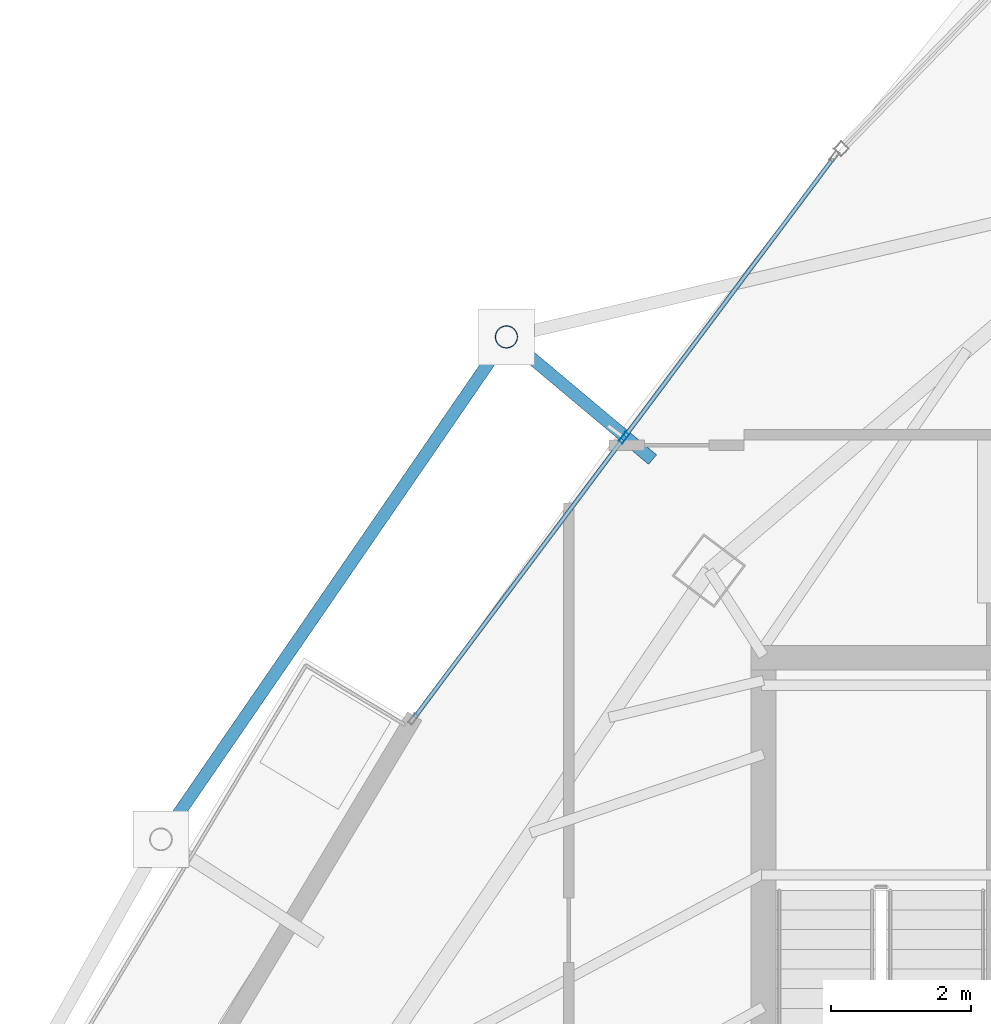
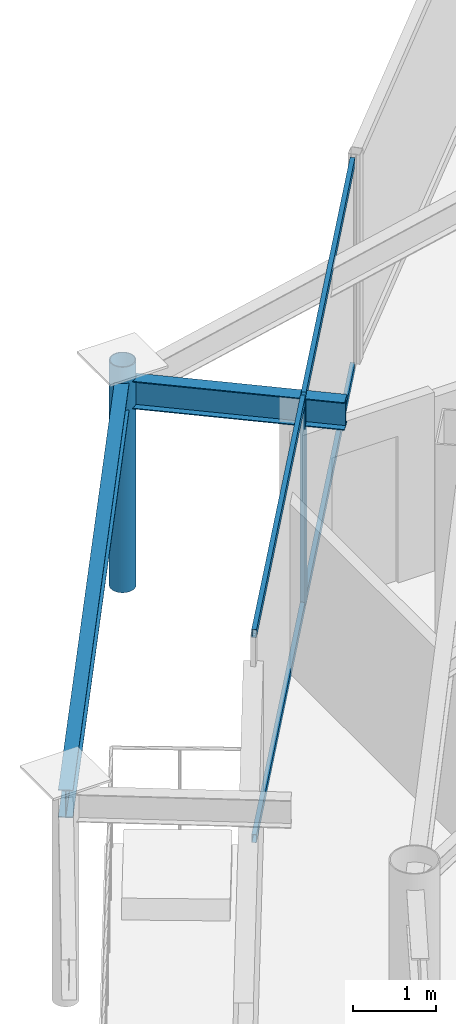
# One storey, part 21 of 32: 6 members, 2 beams, 1 element without a shape of its own.
"""IFC4 building model written with IfcOpenShell, lengths in metres."""

from ifc_helpers import new_model, si_unit, direction, frame, origin, origin_2d, place, context, subcontext, project, spatial, hollow_rectangle, hollow_circle, i_section, extrude, material, layer, layer_set, material_profile, profile_set, type_object, element, aggregate, save


model = new_model("IFC4")

# Units and contexts
model_context = context("Model", 3, precision=1e-05, world=origin(), true_north=direction((0.0, 1.0)))
body_context = subcontext(model_context, "Body", "Model", "MODEL_VIEW")
ifc_project = project(units=[si_unit("LENGTHUNIT", "METRE"), si_unit("AREAUNIT", "SQUARE_METRE"), si_unit("VOLUMEUNIT", "CUBIC_METRE"), si_unit("PLANEANGLEUNIT", "RADIAN"), si_unit("MASSUNIT", "GRAM", prefix="KILO")], contexts=[model_context])

# Site, building, storey
site_placement = place(None, origin())
site = spatial("IfcSite", under=ifc_project, at=site_placement, CompositionType="ELEMENT")
building_placement = place(site_placement, origin())
building = spatial("IfcBuilding", under=site, at=building_placement, Name="Orvanel Arch Residences", CompositionType="ELEMENT")
storey_placement = place(building_placement, frame((0.0, 0.0, 222.800048828125)))
storey = spatial("IfcBuildingStorey", under=building, at=storey_placement, Name="L63", CompositionType="ELEMENT", Elevation=222.800048828125)

# Curtain wall, member
ifc_material_1 = material(Name="Bronze-anodised aluminium AA6063-T6", Category="aluminium")
ifc_layer = layer(ifc_material_1, 0.175048828125)
ifc_layer_set = layer_set([ifc_layer], Name="Bronze-anodised aluminium AA6063-T6")
curtain_wall_type = type_object("IfcCurtainWallType", Name="CW4-HI-SYS", PredefinedType="NOTDEFINED", material=ifc_layer_set)
curtain_wall_placement = place(storey_placement, origin())
curtain_wall = element("IfcCurtainWall", 1, at=curtain_wall_placement, inside=storey, type_object=curtain_wall_type, Name="L63 CW4-HI-SYS Unitised Curtain Wall", PredefinedType="NOTDEFINED")
ifc_material_profile_1 = material_profile(ifc_material_1, hollow_rectangle(XDim=0.06494140625, YDim=0.159912109375, WallThickness=0.00390625, at=origin_2d()), Name="ALU160x65x4")
ifc_profile_set_1 = profile_set([ifc_material_profile_1], Name="Bronze-anodised aluminium AA6063-T6")
member_type_1 = type_object("IfcMemberType", Name="MUL-160x65", PredefinedType="MULLION", material=ifc_profile_set_1)
member_1_placement = place(storey_placement, frame((24.4375, 37.00390625, 0.0), z_axis=(0.0, 0.0, 1.0), x_axis=(0.800476458044, -0.599364196559, 0.0)))
member_1 = element("IfcMember", 2, at=member_1_placement, type_object=member_type_1, Name="CW-S4 mullion 2", PredefinedType="MULLION", context=body_context, shape_type="SweptSolid", body=[
    extrude(hollow_rectangle(XDim=0.06494140625, YDim=0.159912109375, WallThickness=0.00390625, at=origin_2d()), origin(), (0.0, 0.0, 1.0), 3.06005859375),
])

# Beams
ifc_material_2 = material(Name="Structural steel AS/NZS 3679.1 Grade 300 (300 MPa)", Category="steel")
ifc_material_profile_2 = material_profile(ifc_material_2, i_section(OverallWidth=0.177978515625, OverallDepth=0.406005859375, WebThickness=0.0078125, FlangeThickness=0.0126953125, at=origin_2d()), Name="410UB59.7")
ifc_profile_set_2 = profile_set([ifc_material_profile_2], Name="Structural steel AS/NZS 3679.1 Grade 300 (300 MPa)")
beam_type = type_object("IfcBeamType", Name="OB-410UB-EXT", PredefinedType="SPANDREL", material=ifc_profile_set_2)
beam_1_placement = place(storey_placement, frame((24.845947265625, 36.693115234375, 2.85693359375), z_axis=(-0.765933165597, 0.642920201765, 0.0), x_axis=(-0.642920201765, -0.765933165597, 0.0)))
element("IfcBeam", 3, at=beam_1_placement, inside=storey, type_object=beam_type, Name="L63 Outer Frame Radial Tie Beam 01", PredefinedType="SPANDREL", context=body_context, shape_type="SweptSolid", body=[
    extrude(i_section(OverallWidth=0.177978515625, OverallDepth=0.406005859375, WebThickness=0.0078125, FlangeThickness=0.0126953125, at=origin_2d()), origin(), (0.0, 0.0, 1.0), 2.717041015625),
])
beam_2_placement = place(storey_placement, frame((22.764892578125, 38.43994140625, 2.85693359375), z_axis=(-0.566636240151, -0.823968064519, 0.0), x_axis=(0.823968064519, -0.566636240151, 0.0)))
element("IfcBeam", 4, at=beam_2_placement, inside=storey, type_object=beam_type, Name="L63 Outer Perimeter Floor Ring Beam 01", PredefinedType="SPANDREL", context=body_context, shape_type="SweptSolid", body=[
    extrude(i_section(OverallWidth=0.177978515625, OverallDepth=0.406005859375, WebThickness=0.0078125, FlangeThickness=0.0126953125, at=origin_2d()), origin(), (0.0, 0.0, 1.0), 8.680908203125),
])

# Member
ifc_material_3 = material(Name="Structural steel AS/NZS 1163 C350L0 (Grade 350)", Category="steel")
ifc_material_profile_3 = material_profile(ifc_material_3, hollow_circle(Radius=0.162109375, WallThickness=0.0126953125, at=origin_2d()), Name="CHS324x12.7")
ifc_profile_set_3 = profile_set([ifc_material_profile_3], Name="Structural steel AS/NZS 1163 C350L0 (Grade 350)")
member_type_2 = type_object("IfcMemberType", Name="ST-324CHS-EXT", PredefinedType="STRUT", material=ifc_profile_set_3)
member_2_placement = place(storey_placement, frame((22.764892578125, 38.43994140625, 0.0), z_axis=(0.0, 0.0, 1.0), x_axis=(1.0, 0.0, 0.0)))
element("IfcMember", 5, at=member_2_placement, inside=storey, type_object=member_type_2, Name="L63 Outer Perimeter Frame Post 01", PredefinedType="STRUT", context=body_context, shape_type="SweptSolid", body=[
    extrude(hollow_circle(Radius=0.162109375, WallThickness=0.0126953125, at=origin_2d()), origin(), (0.0, 0.0, 1.0), 3.300048828125),
])

ifc_material_profile_4 = material_profile(ifc_material_1, hollow_rectangle(XDim=0.06005859375, YDim=0.1201171875, WallThickness=0.00341796875, at=origin_2d()), Name="ALU120x60x3.5")
ifc_profile_set_4 = profile_set([ifc_material_profile_4], Name="Bronze-anodised aluminium AA6063-T6")
member_type_3 = type_object("IfcMemberType", Name="TRN-120x60", PredefinedType="USERDEFINED", material=ifc_profile_set_4)
member_3_placement = place(storey_placement, frame((27.416015625, 40.98193359375, 0.030029296875), z_axis=(-0.599358908825, -0.800480417257, 0.0), x_axis=(0.800480417257, -0.599358908825, 0.0)))
member_3 = element("IfcMember", 6, at=member_3_placement, type_object=member_type_3, Name="CW-S4 transom 1.1", ObjectType="TRANSOM", PredefinedType="USERDEFINED", context=body_context, shape_type="SweptSolid", body=[
    extrude(hollow_rectangle(XDim=0.06005859375, YDim=0.1201171875, WallThickness=0.00341796875, at=origin_2d()), origin(), (0.0, 0.0, 1.0), 4.93701171875),
])

member_4_placement = place(storey_placement, frame((27.416015625, 40.98193359375, 3.030029296875), z_axis=(-0.599358908825, -0.800480417257, 0.0), x_axis=(0.800480417257, -0.599358908825, 0.0)))
member_4 = element("IfcMember", 7, at=member_4_placement, type_object=member_type_3, Name="CW-S4 transom 1.2", ObjectType="TRANSOM", PredefinedType="USERDEFINED", context=body_context, shape_type="SweptSolid", body=[
    extrude(hollow_rectangle(XDim=0.06005859375, YDim=0.1201171875, WallThickness=0.00341796875, at=origin_2d()), origin(), (0.0, 0.0, 1.0), 4.93701171875),
])

member_5_placement = place(storey_placement, frame((24.41796875, 36.97802734375, 0.030029296875), z_axis=(-0.599358908825, -0.800480417257, 0.0), x_axis=(0.800480417257, -0.599358908825, 0.0)))
member_5 = element("IfcMember", 8, at=member_5_placement, type_object=member_type_3, Name="CW-S4 transom 2.1", ObjectType="TRANSOM", PredefinedType="USERDEFINED", context=body_context, shape_type="SweptSolid", body=[
    extrude(hollow_rectangle(XDim=0.06005859375, YDim=0.1201171875, WallThickness=0.00341796875, at=origin_2d()), origin(), (0.0, 0.0, 1.0), 4.93701171875),
])

member_6_placement = place(storey_placement, frame((24.41796875, 36.97802734375, 3.030029296875), z_axis=(-0.599358908825, -0.800480417257, 0.0), x_axis=(0.800480417257, -0.599358908825, 0.0)))
member_6 = element("IfcMember", 9, at=member_6_placement, type_object=member_type_3, Name="CW-S4 transom 2.2", ObjectType="TRANSOM", PredefinedType="USERDEFINED", context=body_context, shape_type="SweptSolid", body=[
    extrude(hollow_rectangle(XDim=0.06005859375, YDim=0.1201171875, WallThickness=0.00341796875, at=origin_2d()), origin(), (0.0, 0.0, 1.0), 4.93701171875),
])

aggregate(curtain_wall, [member_1, member_3, member_4, member_5, member_6])

save(model, "model.ifc")
